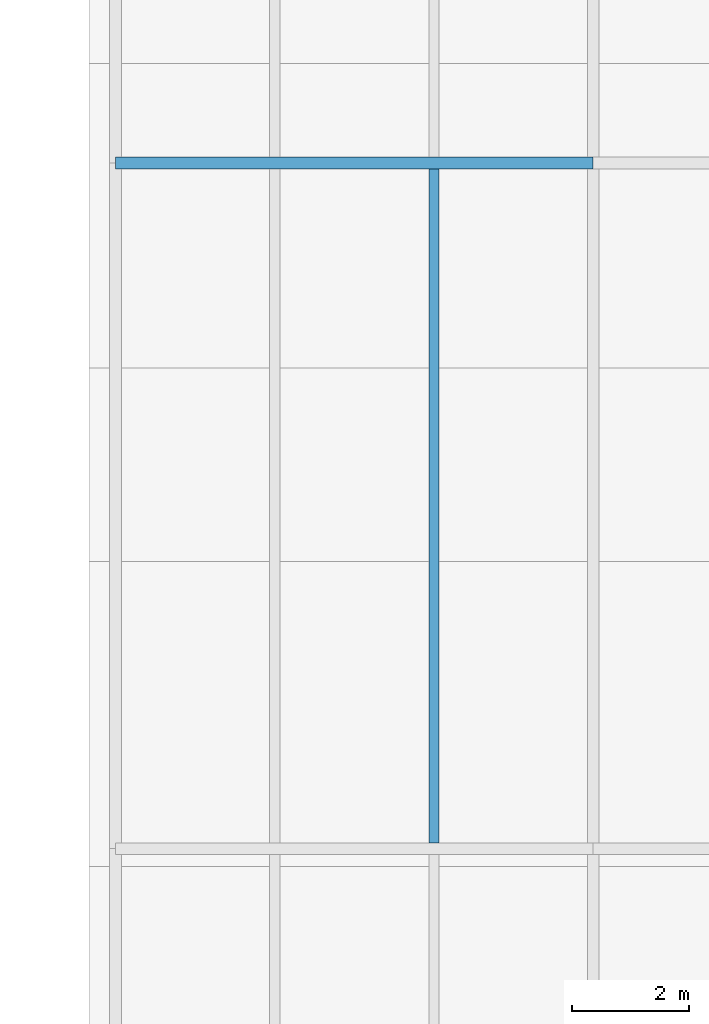
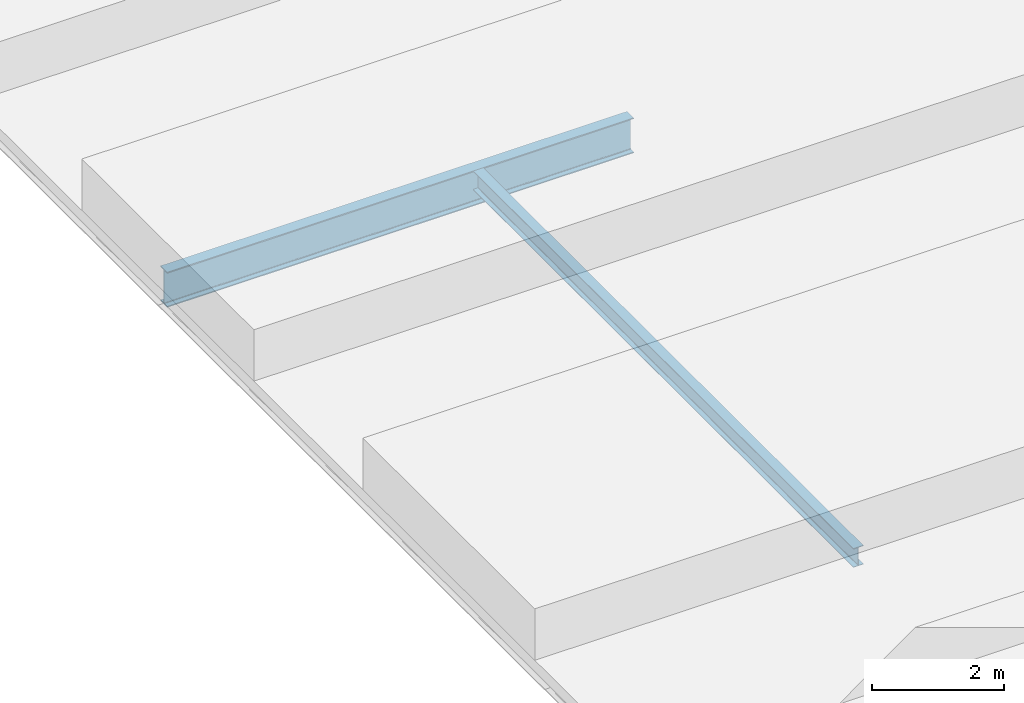
# One storey, part 13 of 30: 2 beams.
"""IFC4 building model written with IfcOpenShell, lengths in metres."""

from ifc_helpers import new_model, si_unit, direction, frame, origin, origin_2d, place, context, subcontext, project, spatial, i_section, extrude, material, material_profile, profile_set, type_object, element, save


model = new_model("IFC4")

# Units and contexts
model_context = context("Model", 3, precision=1e-05, world=origin(), true_north=direction((0.0, 1.0)))
body_context = subcontext(model_context, "Body", "Model", "MODEL_VIEW")
ifc_project = project(units=[si_unit("LENGTHUNIT", "METRE"), si_unit("AREAUNIT", "SQUARE_METRE"), si_unit("VOLUMEUNIT", "CUBIC_METRE"), si_unit("PLANEANGLEUNIT", "RADIAN"), si_unit("MASSUNIT", "GRAM", prefix="KILO")], contexts=[model_context])

# Site, building, storey
site_placement = place(None, origin())
site = spatial("IfcSite", under=ifc_project, at=site_placement, CompositionType="ELEMENT")
building_placement = place(site_placement, origin())
building = spatial("IfcBuilding", under=site, at=building_placement, Name="Noeulbin Bourse Tower", CompositionType="ELEMENT")
storey_placement = place(building_placement, frame((0.0, 0.0, 26.5)))
storey = spatial("IfcBuildingStorey", under=building, at=storey_placement, Name="L06", CompositionType="ELEMENT", Elevation=26.5)

# Beams
ifc_material = material(Name="Steel S355", Category="steel")
ifc_material_profile_1 = material_profile(ifc_material, i_section(OverallWidth=0.199951171875, OverallDepth=0.64990234375, WebThickness=0.010986328125, FlangeThickness=0.01904296875, FilletRadius=0.02197265625, at=origin_2d()), Name="H-650x200x11x19", Category="LoadBearing")
ifc_profile_set_1 = profile_set([ifc_material_profile_1], Name="Steel S355")
beam_type_1 = type_object("IfcBeamType", Name="BM-GRD-650", PredefinedType="USERDEFINED", material=ifc_profile_set_1)
beam_1_placement = place(storey_placement, frame((60.449951171875, 26.5, -0.534912109375), z_axis=(1.0, 0.0, 0.0), x_axis=(0.0, 1.0, 0.0)))
element("IfcBeam", 1, at=beam_1_placement, inside=storey, type_object=beam_type_1, Name="Market Hall Girder EW L06-05", ObjectType="GIRDER", PredefinedType="USERDEFINED", context=body_context, shape_type="SweptSolid", body=[
    extrude(i_section(OverallWidth=0.199951171875, OverallDepth=0.64990234375, WebThickness=0.010986328125, FlangeThickness=0.01904296875, FilletRadius=0.02197265625, at=origin_2d()), origin(), (0.0, 0.0, 1.0), 8.150146484375),
])
ifc_material_profile_2 = material_profile(ifc_material, i_section(OverallWidth=0.175048828125, OverallDepth=0.35009765625, WebThickness=0.007080078125, FlangeThickness=0.010986328125, FilletRadius=0.013916015625, at=origin_2d()), Name="H-350x175x7x11", Category="LoadBearing")
ifc_profile_set_2 = profile_set([ifc_material_profile_2], Name="Steel S355")
beam_type_2 = type_object("IfcBeamType", Name="BM-JST-350", PredefinedType="JOIST", material=ifc_profile_set_2)
beam_2_placement = place(storey_placement, frame((65.88330078125, 14.89990234375, -0.385009765625), z_axis=(0.0, 1.0, 0.0), x_axis=(-1.0, 0.0, 0.0)))
element("IfcBeam", 2, at=beam_2_placement, inside=storey, type_object=beam_type_2, Name="Market Hall Secondary Joist L06-06", PredefinedType="JOIST", context=body_context, shape_type="SweptSolid", body=[
    extrude(i_section(OverallWidth=0.175048828125, OverallDepth=0.35009765625, WebThickness=0.007080078125, FlangeThickness=0.010986328125, FilletRadius=0.013916015625, at=origin_2d()), origin(), (0.0, 0.0, 1.0), 11.5),
])

save(model, "model.ifc")
